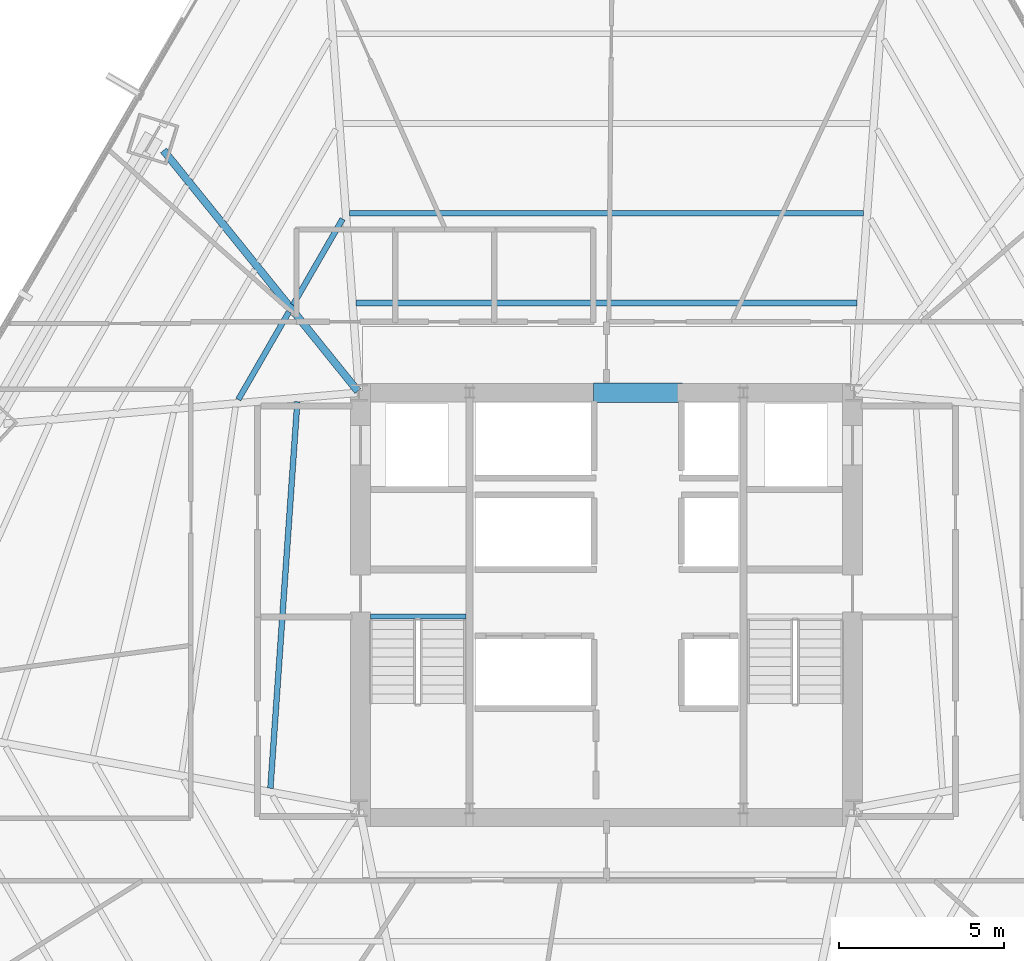
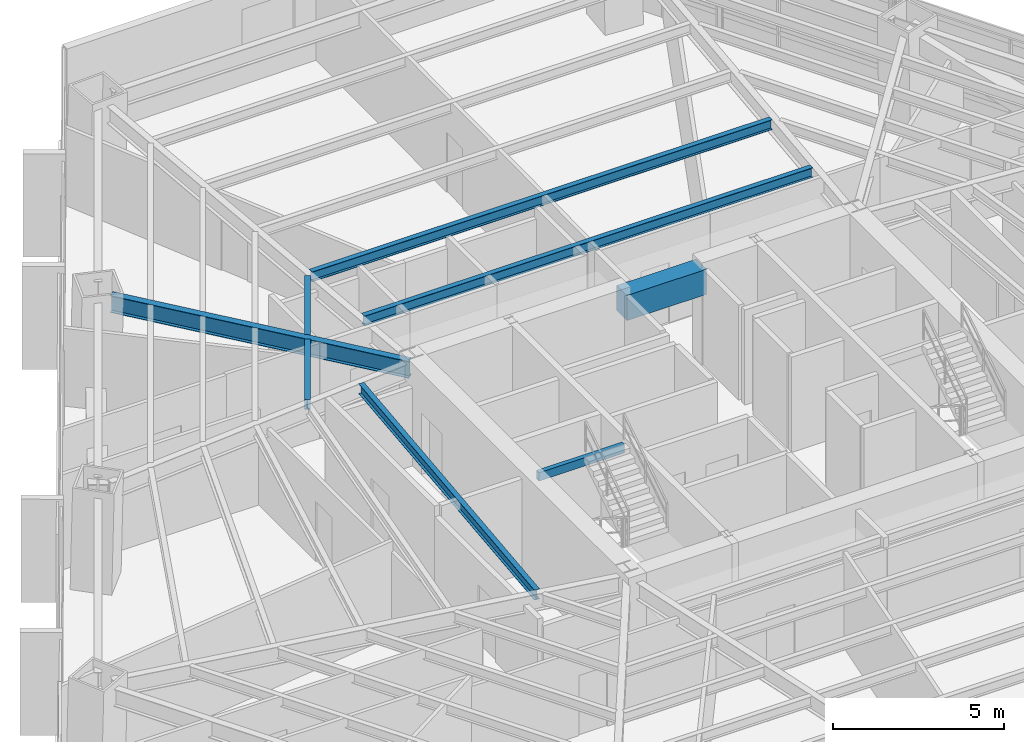
# One storey, part 14 of 34: 8 beams.
"""IFC4 building model written with IfcOpenShell, lengths in metres."""

from ifc_helpers import new_model, si_unit, direction, frame, origin, origin_2d, place, context, subcontext, project, spatial, rectangle, hollow_rectangle, i_section, extrude, source, transform, mapped, material, material_profile, profile_set, type_object, type_shapes, element, save


model = new_model("IFC4")

# Units and contexts
model_context = context("Model", 3, precision=1e-05, world=origin(), true_north=direction((0.0, 1.0)))
body_context = subcontext(model_context, "Body", "Model", "MODEL_VIEW")
ifc_project = project(units=[si_unit("LENGTHUNIT", "METRE"), si_unit("AREAUNIT", "SQUARE_METRE"), si_unit("VOLUMEUNIT", "CUBIC_METRE"), si_unit("PLANEANGLEUNIT", "RADIAN"), si_unit("MASSUNIT", "GRAM", prefix="KILO")], contexts=[model_context])

# Site, building, storey
site_placement = place(None, origin())
site = spatial("IfcSite", under=ifc_project, at=site_placement, CompositionType="ELEMENT")
building_placement = place(site_placement, origin())
building = spatial("IfcBuilding", under=site, at=building_placement, Name="Caelisora Broadcast Tower", CompositionType="ELEMENT")
storey_placement = place(building_placement, frame((0.0, 0.0, 49.5)))
storey = spatial("IfcBuildingStorey", under=building, at=storey_placement, Name="L12", CompositionType="ELEMENT", Elevation=49.5)

# Beams
ifc_material_1 = material(Name="Steel Grade 350 (AS/NZS 1163 C350L0)", Category="steel")
ifc_material_profile_1 = material_profile(ifc_material_1, hollow_rectangle(XDim=0.14990234375, YDim=0.300048828125, WallThickness=0.010009765625, at=origin_2d()), Name="Steel Grade 350 (AS/NZS 1163 C350L0)")
ifc_profile_set_1 = profile_set([ifc_material_profile_1], Name="Steel Grade 350 (AS/NZS 1163 C350L0)")
beam_type_1 = type_object("IfcBeamType", Name="SB05", PredefinedType="JOIST", material=ifc_profile_set_1)
shared_shape_1 = source(origin(), body_context, "Body", "SweptSolid", [
    extrude(hollow_rectangle(XDim=0.14990234375, YDim=0.300048828125, WallThickness=0.010009765625, at=origin_2d()), origin(), (0.0, 0.0, 1.0), 2.89990234375),
])
type_shapes(beam_type_1, [shared_shape_1])
beam_1_placement = place(storey_placement, frame((30.840087890625, 23.219970703125, 3.25), z_axis=(1.0, 0.0, 0.0), x_axis=(0.0, 1.0, 0.0)))
element("IfcBeam", 1, at=beam_1_placement, inside=storey, type_object=beam_type_1, Name="L12 beam SB05", PredefinedType="JOIST", context=body_context, shape_type="MappedRepresentation", body=[
    mapped(shared_shape_1, transform((0.0, 0.0, 0.0), scale=1.0)),
])
ifc_material_2 = material(Name="Concrete 50 MPa (AS 3600 S50)", Category="concrete")
ifc_material_profile_2 = material_profile(ifc_material_2, rectangle(XDim=0.60009765625, YDim=0.89990234375, at=origin_2d()), Name="Concrete 50 MPa (AS 3600 S50)")
ifc_profile_set_2 = profile_set([ifc_material_profile_2], Name="Concrete 50 MPa (AS 3600 S50)")
beam_type_2 = type_object("IfcBeamType", Name="CB02", PredefinedType="LINTEL", material=ifc_profile_set_2)
shared_shape_2 = source(origin(), body_context, "Body", "SweptSolid", [
    extrude(rectangle(XDim=0.60009765625, YDim=0.89990234375, at=origin_2d()), origin(), (0.0, 0.0, 1.0), 2.699951171875),
])
type_shapes(beam_type_2, [shared_shape_2])
beam_2_placement = place(storey_placement, frame((37.60009765625, 30.0, 2.949951171875), z_axis=(1.0, 0.0, 0.0), x_axis=(0.0, 1.0, 0.0)))
element("IfcBeam", 2, at=beam_2_placement, inside=storey, type_object=beam_type_2, Name="L12 beam CB02", PredefinedType="LINTEL", context=body_context, shape_type="MappedRepresentation", body=[
    mapped(shared_shape_2, transform((0.0, 0.0, 0.0), scale=1.0)),
])
ifc_material_3 = material(Name="Steel Grade 350 (AS/NZS 3679.1)", Category="steel")
ifc_material_profile_3 = material_profile(ifc_material_3, i_section(OverallWidth=0.22802734375, OverallDepth=0.602294921875, WebThickness=0.010498046875, FlangeThickness=0.014892578125, at=origin_2d()), Name="Steel Grade 350 (AS/NZS 3679.1)")
ifc_profile_set_3 = profile_set([ifc_material_profile_3], Name="Steel Grade 350 (AS/NZS 3679.1)")
beam_type_3 = type_object("IfcBeamType", Name="PG04", PredefinedType="BEAM", material=ifc_profile_set_3)
shared_shape_3 = source(origin(), body_context, "Body", "SweptSolid", [
    extrude(i_section(OverallWidth=0.22802734375, OverallDepth=0.602294921875, WebThickness=0.010498046875, FlangeThickness=0.014892578125, at=origin_2d()), origin(), (0.0, 0.0, 1.0), 9.378662109375),
])
type_shapes(beam_type_3, [shared_shape_3])
beam_3_placement = place(storey_placement, frame((30.46240234375, 30.046630859375, 3.098876953125), z_axis=(-0.628221973632, 0.778034158534, 0.0), x_axis=(-0.778034158534, -0.628221973632, 0.0)))
element("IfcBeam", 3, at=beam_3_placement, inside=storey, type_object=beam_type_3, Name="L12 beam PG04", PredefinedType="BEAM", context=body_context, shape_type="MappedRepresentation", body=[
    mapped(shared_shape_3, transform((0.0, 0.0, 0.0), scale=1.0)),
])
ifc_material_profile_4 = material_profile(ifc_material_3, i_section(OverallWidth=0.172119140625, OverallDepth=0.358642578125, WebThickness=0.008056640625, FlangeThickness=0.012939453125, at=origin_2d()), Name="Steel Grade 350 (AS/NZS 3679.1)")
ifc_profile_set_4 = profile_set([ifc_material_profile_4], Name="Steel Grade 350 (AS/NZS 3679.1)")
beam_type_4 = type_object("IfcBeamType", Name="SB02", PredefinedType="JOIST", material=ifc_profile_set_4)
shared_shape_4 = source(origin(), body_context, "Body", "SweptSolid", [
    extrude(i_section(OverallWidth=0.172119140625, OverallDepth=0.358642578125, WebThickness=0.008056640625, FlangeThickness=0.012939453125, at=origin_2d()), origin(), (0.0, 0.0, 1.0), 15.177734375),
])
beam_4_placement = place(storey_placement, frame((45.5888671875, 32.719482421875, 3.220703125), z_axis=(-1.0, 0.0, 0.0), x_axis=(0.0, -1.0, 0.0)))
element("IfcBeam", 4, at=beam_4_placement, inside=storey, type_object=beam_type_4, Name="L12 beam SB02", PredefinedType="JOIST", context=body_context, shape_type="MappedRepresentation", body=[
    mapped(shared_shape_4, transform((0.0, 0.0, 0.0), scale=1.0)),
])
shared_shape_5 = source(origin(), body_context, "Body", "SweptSolid", [
    extrude(i_section(OverallWidth=0.172119140625, OverallDepth=0.358642578125, WebThickness=0.008056640625, FlangeThickness=0.012939453125, at=origin_2d()), origin(), (0.0, 0.0, 1.0), 15.578125),
])
beam_5_placement = place(storey_placement, frame((45.7890625, 35.43896484375, 3.220703125), z_axis=(-1.0, 0.0, 0.0), x_axis=(0.0, -1.0, 0.0)))
element("IfcBeam", 5, at=beam_5_placement, inside=storey, type_object=beam_type_4, Name="L12 beam SB02", PredefinedType="JOIST", context=body_context, shape_type="MappedRepresentation", body=[
    mapped(shared_shape_5, transform((0.0, 0.0, 0.0), scale=1.0)),
])
shared_shape_6 = source(origin(), body_context, "Body", "SweptSolid", [
    extrude(i_section(OverallWidth=0.172119140625, OverallDepth=0.358642578125, WebThickness=0.008056640625, FlangeThickness=0.012939453125, at=origin_2d()), origin(), (0.0, 0.0, 1.0), 3.00927734375),
])
beam_6_placement = place(storey_placement, frame((29.999755859375, 35.26611328125, 3.220703125), z_axis=(-0.499986971506, -0.866032925658, 0.0), x_axis=(0.866032925658, -0.499986971506, 0.0)))
element("IfcBeam", 6, at=beam_6_placement, inside=storey, type_object=beam_type_4, Name="L12 beam SB02", PredefinedType="JOIST", context=body_context, shape_type="MappedRepresentation", body=[
    mapped(shared_shape_6, transform((0.0, 0.0, 0.0), scale=1.0)),
])
shared_shape_7 = source(origin(), body_context, "Body", "SweptSolid", [
    extrude(i_section(OverallWidth=0.172119140625, OverallDepth=0.358642578125, WebThickness=0.008056640625, FlangeThickness=0.012939453125, at=origin_2d()), origin(), (0.0, 0.0, 1.0), 3.07275390625),
])
beam_7_placement = place(storey_placement, frame((28.3759765625, 32.45361328125, 3.220703125), z_axis=(-0.499992972383, -0.866029461143, 0.0), x_axis=(0.866029461143, -0.499992972383, 0.0)))
element("IfcBeam", 7, at=beam_7_placement, inside=storey, type_object=beam_type_4, Name="L12 beam SB02", PredefinedType="JOIST", context=body_context, shape_type="MappedRepresentation", body=[
    mapped(shared_shape_7, transform((0.0, 0.0, 0.0), scale=1.0)),
])
shared_shape_8 = source(origin(), body_context, "Body", "SweptSolid", [
    extrude(i_section(OverallWidth=0.172119140625, OverallDepth=0.358642578125, WebThickness=0.008056640625, FlangeThickness=0.012939453125, at=origin_2d()), origin(), (0.0, 0.0, 1.0), 11.745849609375),
])
type_shapes(beam_type_4, [shared_shape_4, shared_shape_5, shared_shape_6, shared_shape_7, shared_shape_8])
beam_8_placement = place(storey_placement, frame((28.6279296875, 29.72509765625, 3.220703125), z_axis=(-0.069505423115, -0.997581573686, 0.0), x_axis=(0.997581573686, -0.069505423115, 0.0)))
element("IfcBeam", 8, at=beam_8_placement, inside=storey, type_object=beam_type_4, Name="L12 beam SB02", PredefinedType="JOIST", context=body_context, shape_type="MappedRepresentation", body=[
    mapped(shared_shape_8, transform((0.0, 0.0, 0.0), scale=1.0)),
])

save(model, "model.ifc")
